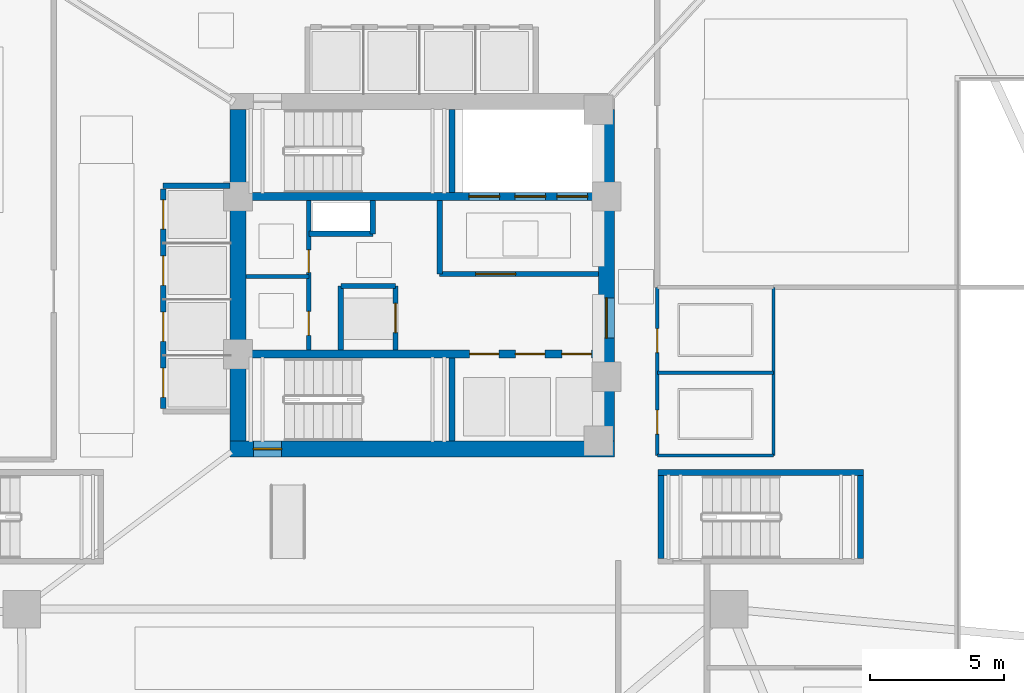
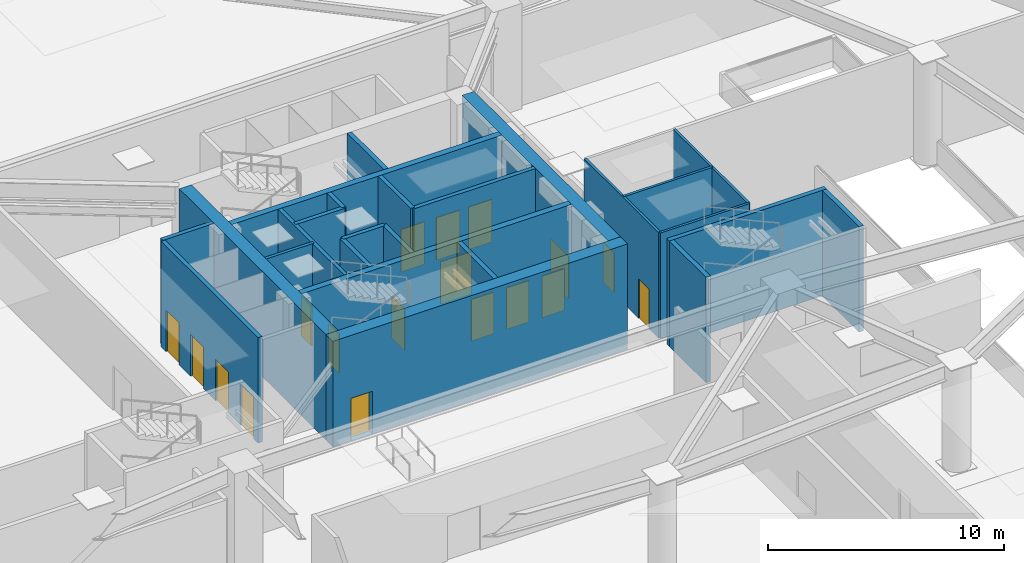
# One storey, part 6 of 13: 25 walls, 18 doors, 18 openings.
"""IFC4 building model written with IfcOpenShell, lengths in metres."""

from ifc_helpers import new_model, si_unit, direction, frame, frame_2d, origin, place, context, subcontext, project, spatial, rectangle, extrude, material, layer, layer_set, type_object, element, fill, save


model = new_model("IFC4")

# Units and contexts
model_context = context("Model", 3, precision=1e-05, world=origin(), true_north=direction((0.0, 1.0)))
body_context = subcontext(model_context, "Body", "Model", "MODEL_VIEW")
ifc_project = project(units=[si_unit("LENGTHUNIT", "METRE"), si_unit("AREAUNIT", "SQUARE_METRE"), si_unit("VOLUMEUNIT", "CUBIC_METRE"), si_unit("PLANEANGLEUNIT", "RADIAN"), si_unit("MASSUNIT", "GRAM", prefix="KILO")], contexts=[model_context])

# Site, building, storey
site_placement = place(None, origin())
site = spatial("IfcSite", under=ifc_project, at=site_placement, CompositionType="ELEMENT")
building_placement = place(site_placement, origin())
building = spatial("IfcBuilding", under=site, at=building_placement, Name="Tavelor Broadcast Tower", CompositionType="ELEMENT")
storey_placement = place(building_placement, origin())
storey = spatial("IfcBuildingStorey", under=building, at=storey_placement, Name="L00", CompositionType="ELEMENT", Elevation=0.0)

# Wall, opening, door
ifc_material_1 = material(Name="Concrete C60/75", Category="concrete")
ifc_layer_1 = layer(ifc_material_1, 0.60009765625)
ifc_layer_set_1 = layer_set([ifc_layer_1], Name="Concrete C60/75")
wall_type_1 = type_object("IfcWallType", Name="Core Shear Wall 600 mm", PredefinedType="SHEAR", material=ifc_layer_set_1)
wall_1_placement = place(storey_placement, frame((42.800048828125, 38.5, 0.0), z_axis=(0.0, 0.0, 1.0), x_axis=(1.0, 0.0, 0.0)))
wall_1 = element("IfcWall", 1, at=wall_1_placement, inside=storey, type_object=wall_type_1, Name="L00 Central Core Shear Wall S", PredefinedType="SHEAR", context=body_context, shape_type="SweptSolid", body=[
    extrude(rectangle(XDim=14.39990234375, YDim=0.60009765625, at=frame_2d((7.199951171875, 0.0))), origin(), (0.0, 0.0, 1.0), 5.449951171875),
])
opening_1_placement = place(wall_1_placement, frame((0.8798828125, 0.0, 0.0)))
opening_1 = element("IfcOpeningElement", 2, at=opening_1_placement, cuts=wall_1, Name="Opening DR11", PredefinedType="OPENING", context=body_context, shape_type="SweptSolid", body=[
    extrude(rectangle(XDim=1.050048828125, YDim=2.199951171875, at=frame_2d((0.52490234375, 1.10009765625))), frame((0.0, 0.31005859375, 0.0), z_axis=(0.0, -1.0, 0.0), x_axis=(1.0, 0.0, 0.0)), (0.0, 0.0, 1.0), 0.6201171875),
])
ifc_material_2 = material(Name="Steel S355", Category="steel")
door_type_1 = type_object("IfcDoorType", Name="Stair Core Fire Escape Door 1050x2200", OperationType="NOTDEFINED", PredefinedType="DOOR", material=ifc_material_2)
door_1_placement = place(opening_1_placement, origin())
door_1 = element("IfcDoor", 3, at=door_1_placement, inside=storey, type_object=door_type_1, Name="L00 Stair ST2 Protected Exit Door", OperationType="SINGLE_SWING_RIGHT", OverallHeight=2.199951171875, OverallWidth=1.050048828125, PredefinedType="DOOR", context=body_context, shape_type="SweptSolid", body=[
    extrude(rectangle(XDim=1.050048828125, YDim=2.199951171875, at=frame_2d((0.52490234375, 1.10009765625))), frame((0.0, 0.02490234375, 0.0), z_axis=(0.0, -1.0, 0.0), x_axis=(1.0, 0.0, 0.0)), (0.0, 0.0, 1.0), 0.050048828125),
])
fill(opening_1, door_1)

# Wall
wall_2_placement = place(storey_placement, frame((43.10009765625, 38.800048828125, 0.0), z_axis=(0.0, 0.0, 1.0), x_axis=(0.0, 1.0, 0.0)))
element("IfcWall", 4, at=wall_2_placement, inside=storey, type_object=wall_type_1, Name="L00 Central Core Shear Wall W", PredefinedType="SHEAR", context=body_context, shape_type="SweptSolid", body=[
    extrude(rectangle(XDim=12.39990234375, YDim=0.60009765625, at=frame_2d((6.199951171875, 0.0))), origin(), (0.0, 0.0, 1.0), 5.449951171875),
])

# Wall, opening, door
wall_3_placement = place(storey_placement, frame((56.89990234375, 38.800048828125, 0.0), z_axis=(0.0, 0.0, 1.0), x_axis=(0.0, 1.0, 0.0)))
wall_3 = element("IfcWall", 5, at=wall_3_placement, inside=storey, type_object=wall_type_1, Name="L00 Central Core Shear Wall E", PredefinedType="SHEAR", context=body_context, shape_type="SweptSolid", body=[
    extrude(rectangle(XDim=12.39990234375, YDim=0.60009765625, at=frame_2d((6.199951171875, 0.0))), origin(), (0.0, 0.0, 1.0), 5.449951171875),
])
opening_2_placement = place(wall_3_placement, frame((3.85009765625, 0.0, 0.0)))
opening_2 = element("IfcOpeningElement", 6, at=opening_2_placement, cuts=wall_3, Name="Opening DR14", PredefinedType="OPENING", context=body_context, shape_type="SweptSolid", body=[
    extrude(rectangle(XDim=1.5, YDim=2.199951171875, at=frame_2d((0.75, 1.10009765625))), frame((0.0, 0.31005859375, 0.0), z_axis=(0.0, -1.0, 0.0), x_axis=(1.0, 0.0, 0.0)), (0.0, 0.0, 1.0), 0.6201171875),
])
door_type_2 = type_object("IfcDoorType", Name="Firefighting Lobby Double Fire Door 1500x2200", OperationType="NOTDEFINED", PredefinedType="DOOR", material=ifc_material_2)
door_2_placement = place(opening_2_placement, origin())
door_2 = element("IfcDoor", 7, at=door_2_placement, inside=storey, type_object=door_type_2, Name="L00 Central Core Lobby Fire Door", OperationType="SINGLE_SWING_RIGHT", OverallHeight=2.199951171875, OverallWidth=1.5, PredefinedType="DOOR", context=body_context, shape_type="SweptSolid", body=[
    extrude(rectangle(XDim=1.5, YDim=2.199951171875, at=frame_2d((0.75, 1.10009765625))), frame((0.0, 0.02490234375, 0.0), z_axis=(0.0, -1.0, 0.0), x_axis=(1.0, 0.0, 0.0)), (0.0, 0.0, 1.0), 0.050048828125),
])
fill(opening_2, door_2)

# Wall, openings, doors
ifc_layer_2 = layer(ifc_material_1, 0.300048828125)
ifc_layer_set_2 = layer_set([ifc_layer_2], Name="Concrete C60/75")
wall_type_2 = type_object("IfcWallType", Name="Core Spine Shear Wall 300 mm C60", PredefinedType="SHEAR", material=ifc_layer_set_2)
wall_4_placement = place(storey_placement, frame((43.39990234375, 47.949951171875, 0.0), z_axis=(0.0, 0.0, 1.0), x_axis=(1.0, 0.0, 0.0)))
wall_4 = element("IfcWall", 8, at=wall_4_placement, inside=storey, type_object=wall_type_2, Name="L00 Central Core Shear Wall SP1", PredefinedType="SHEAR", context=body_context, shape_type="SweptSolid", body=[
    extrude(rectangle(XDim=13.2001953125, YDim=0.300048828125, at=frame_2d((6.60009765625, 0.0))), origin(), (0.0, 0.0, 1.0), 5.449951171875),
])
opening_3_placement = place(wall_4_placement, frame((8.344970703125, 0.0, 0.0)))
opening_3 = element("IfcOpeningElement", 9, at=opening_3_placement, cuts=wall_4, Name="Opening LD02", PredefinedType="OPENING", context=body_context, shape_type="SweptSolid", body=[
    extrude(rectangle(XDim=1.14990234375, YDim=2.199951171875, at=frame_2d((0.574951171875, 1.10009765625))), frame((0.0, 0.16015625, 0.0), z_axis=(0.0, -1.0, 0.0), x_axis=(1.0, 0.0, 0.0)), (0.0, 0.0, 1.0), 0.320068359375),
])
opening_4_placement = place(wall_4_placement, frame((10.06494140625, 0.0, 0.0)))
opening_4 = element("IfcOpeningElement", 10, at=opening_4_placement, cuts=wall_4, Name="Opening LD02", PredefinedType="OPENING", context=body_context, shape_type="SweptSolid", body=[
    extrude(rectangle(XDim=1.14990234375, YDim=2.199951171875, at=frame_2d((0.574951171875, 1.10009765625))), frame((0.0, 0.16015625, 0.0), z_axis=(0.0, -1.0, 0.0), x_axis=(1.0, 0.0, 0.0)), (0.0, 0.0, 1.0), 0.320068359375),
])
opening_5_placement = place(wall_4_placement, frame((11.64501953125, 0.0, 0.0)))
opening_5 = element("IfcOpeningElement", 11, at=opening_5_placement, cuts=wall_4, Name="Opening LD03", PredefinedType="OPENING", context=body_context, shape_type="SweptSolid", body=[
    extrude(rectangle(XDim=1.14990234375, YDim=2.199951171875, at=frame_2d((0.574951171875, 1.10009765625))), frame((0.0, 0.16015625, 0.0), z_axis=(0.0, -1.0, 0.0), x_axis=(1.0, 0.0, 0.0)), (0.0, 0.0, 1.0), 0.320068359375),
])
ifc_material_3 = material(Name="Reinforced Brushed Stainless Steel", Category="concrete")
door_type_3 = type_object("IfcDoorType", Name="Broadcast Goods Lift Sliding Landing Door 1250x2200", OperationType="NOTDEFINED", PredefinedType="DOOR", material=ifc_material_3)
door_3_placement = place(opening_5_placement, origin())
door_3 = element("IfcDoor", 12, at=door_3_placement, inside=storey, type_object=door_type_3, Name="L00 Lift SVL1 Sliding Landing Door", OperationType="SLIDING_TO_LEFT", OverallHeight=2.199951171875, OverallWidth=1.14990234375, PredefinedType="DOOR", context=body_context, shape_type="SweptSolid", body=[
    extrude(rectangle(XDim=1.14990234375, YDim=2.199951171875, at=frame_2d((0.574951171875, 1.10009765625))), frame((0.0, 0.02490234375, 0.0), z_axis=(0.0, -1.0, 0.0), x_axis=(1.0, 0.0, 0.0)), (0.0, 0.0, 1.0), 0.050048828125),
])
fill(opening_5, door_3)
ifc_material_4 = material(Name="Fire-Rated Stainless Steel", Category="steel")
door_type_4 = type_object("IfcDoorType", Name="Firefighting Lift Sliding Landing Door 1200x2200", OperationType="NOTDEFINED", PredefinedType="DOOR", material=ifc_material_4)
door_4_placement = place(opening_3_placement, origin())
door_4 = element("IfcDoor", 13, at=door_4_placement, inside=storey, type_object=door_type_4, Name="L00 Lift FFL1 Sliding Landing Door", OperationType="SLIDING_TO_LEFT", OverallHeight=2.199951171875, OverallWidth=1.14990234375, PredefinedType="DOOR", context=body_context, shape_type="SweptSolid", body=[
    extrude(rectangle(XDim=1.14990234375, YDim=2.199951171875, at=frame_2d((0.574951171875, 1.10009765625))), frame((0.0, 0.02490234375, 0.0), z_axis=(0.0, -1.0, 0.0), x_axis=(1.0, 0.0, 0.0)), (0.0, 0.0, 1.0), 0.050048828125),
])
fill(opening_3, door_4)
door_5_placement = place(opening_4_placement, origin())
door_5 = element("IfcDoor", 14, at=door_5_placement, inside=storey, type_object=door_type_4, Name="L00 Lift FFL2 Sliding Landing Door", OperationType="SLIDING_TO_LEFT", OverallHeight=2.199951171875, OverallWidth=1.14990234375, PredefinedType="DOOR", context=body_context, shape_type="SweptSolid", body=[
    extrude(rectangle(XDim=1.14990234375, YDim=2.199951171875, at=frame_2d((0.574951171875, 1.10009765625))), frame((0.0, 0.02490234375, 0.0), z_axis=(0.0, -1.0, 0.0), x_axis=(1.0, 0.0, 0.0)), (0.0, 0.0, 1.0), 0.050048828125),
])
fill(opening_4, door_5)

wall_5_placement = place(storey_placement, frame((43.39990234375, 42.050048828125, 0.0), z_axis=(0.0, 0.0, 1.0), x_axis=(1.0, 0.0, 0.0)))
wall_5 = element("IfcWall", 15, at=wall_5_placement, inside=storey, type_object=wall_type_2, Name="L00 Central Core Shear Wall SP2", PredefinedType="SHEAR", context=body_context, shape_type="SweptSolid", body=[
    extrude(rectangle(XDim=13.2001953125, YDim=0.300048828125, at=frame_2d((6.60009765625, 0.0))), origin(), (0.0, 0.0, 1.0), 5.449951171875),
])
opening_6_placement = place(wall_5_placement, frame((8.3701171875, 0.0, 0.0)))
opening_6 = element("IfcOpeningElement", 16, at=opening_6_placement, cuts=wall_5, Name="Opening LD01", PredefinedType="OPENING", context=body_context, shape_type="SweptSolid", body=[
    extrude(rectangle(XDim=1.10009765625, YDim=2.14990234375, at=frame_2d((0.550048828125, 1.074951171875))), frame((0.0, 0.16015625, 0.0), z_axis=(0.0, -1.0, 0.0), x_axis=(1.0, 0.0, 0.0)), (0.0, 0.0, 1.0), 0.320068359375),
])
opening_7_placement = place(wall_5_placement, frame((10.090087890625, 0.0, 0.0)))
opening_7 = element("IfcOpeningElement", 17, at=opening_7_placement, cuts=wall_5, Name="Opening LD01", PredefinedType="OPENING", context=body_context, shape_type="SweptSolid", body=[
    extrude(rectangle(XDim=1.10009765625, YDim=2.14990234375, at=frame_2d((0.550048828125, 1.074951171875))), frame((0.0, 0.16015625, 0.0), z_axis=(0.0, -1.0, 0.0), x_axis=(1.0, 0.0, 0.0)), (0.0, 0.0, 1.0), 0.320068359375),
])
opening_8_placement = place(wall_5_placement, frame((11.830078125, 0.0, 0.0)))
opening_8 = element("IfcOpeningElement", 18, at=opening_8_placement, cuts=wall_5, Name="Opening LD01", PredefinedType="OPENING", context=body_context, shape_type="SweptSolid", body=[
    extrude(rectangle(XDim=1.10009765625, YDim=2.14990234375, at=frame_2d((0.550048828125, 1.074951171875))), frame((0.0, 0.16015625, 0.0), z_axis=(0.0, -1.0, 0.0), x_axis=(1.0, 0.0, 0.0)), (0.0, 0.0, 1.0), 0.320068359375),
])
ifc_material_5 = material(Name="Brushed Stainless Steel", Category="steel")
door_type_5 = type_object("IfcDoorType", Name="Passenger Lift Sliding Landing Door 1100x2150", OperationType="NOTDEFINED", PredefinedType="DOOR", material=ifc_material_5)
door_6_placement = place(opening_6_placement, origin())
door_6 = element("IfcDoor", 19, at=door_6_placement, inside=storey, type_object=door_type_5, Name="L00 Lift PLM1 Sliding Landing Door", OperationType="SLIDING_TO_LEFT", OverallHeight=2.14990234375, OverallWidth=1.10009765625, PredefinedType="DOOR", context=body_context, shape_type="SweptSolid", body=[
    extrude(rectangle(XDim=1.10009765625, YDim=2.14990234375, at=frame_2d((0.550048828125, 1.074951171875))), frame((0.0, 0.02490234375, 0.0), z_axis=(0.0, -1.0, 0.0), x_axis=(1.0, 0.0, 0.0)), (0.0, 0.0, 1.0), 0.050048828125),
])
fill(opening_6, door_6)
door_7_placement = place(opening_7_placement, origin())
door_7 = element("IfcDoor", 20, at=door_7_placement, inside=storey, type_object=door_type_5, Name="L00 Lift PLM2 Sliding Landing Door", OperationType="SLIDING_TO_LEFT", OverallHeight=2.14990234375, OverallWidth=1.10009765625, PredefinedType="DOOR", context=body_context, shape_type="SweptSolid", body=[
    extrude(rectangle(XDim=1.10009765625, YDim=2.14990234375, at=frame_2d((0.550048828125, 1.074951171875))), frame((0.0, 0.02490234375, 0.0), z_axis=(0.0, -1.0, 0.0), x_axis=(1.0, 0.0, 0.0)), (0.0, 0.0, 1.0), 0.050048828125),
])
fill(opening_7, door_7)
door_8_placement = place(opening_8_placement, origin())
door_8 = element("IfcDoor", 21, at=door_8_placement, inside=storey, type_object=door_type_5, Name="L00 Lift PLM3 Sliding Landing Door", OperationType="SLIDING_TO_LEFT", OverallHeight=2.14990234375, OverallWidth=1.10009765625, PredefinedType="DOOR", context=body_context, shape_type="SweptSolid", body=[
    extrude(rectangle(XDim=1.10009765625, YDim=2.14990234375, at=frame_2d((0.550048828125, 1.074951171875))), frame((0.0, 0.02490234375, 0.0), z_axis=(0.0, -1.0, 0.0), x_axis=(1.0, 0.0, 0.0)), (0.0, 0.0, 1.0), 0.050048828125),
])
fill(opening_8, door_8)

ifc_material_6 = material(Name="Calcium Silicate Fire Board 180 mm", Category="gypsum")
ifc_layer_3 = layer(ifc_material_6, 0.179931640625)
ifc_layer_set_3 = layer_set([ifc_layer_3], Name="Calcium Silicate Fire Board 180 mm")
wall_type_3 = type_object("IfcWallType", Name="Fire-Rated Corridor Partition Wall 180 mm", PredefinedType="PARTITIONING", material=ifc_layer_set_3)
wall_6_placement = place(storey_placement, frame((45.75, 42.199951171875, 0.0), z_axis=(0.0, 0.0, 1.0), x_axis=(0.0, 1.0, 0.0)))
wall_6 = element("IfcWall", 22, at=wall_6_placement, inside=storey, type_object=wall_type_3, Name="L00 Core West Service East Wall", PredefinedType="PARTITIONING", context=body_context, shape_type="SweptSolid", body=[
    extrude(rectangle(XDim=5.60009765625, YDim=0.179931640625, at=frame_2d((2.800048828125, 0.0))), origin(), (0.0, 0.0, 1.0), 5.449951171875),
])
opening_9_placement = place(wall_6_placement, frame((0.550048828125, 0.0, 0.0)))
opening_9 = element("IfcOpeningElement", 23, at=opening_9_placement, cuts=wall_6, Name="Opening DR32", PredefinedType="OPENING", context=body_context, shape_type="SweptSolid", body=[
    extrude(rectangle(XDim=0.89990234375, YDim=2.050048828125, at=frame_2d((0.449951171875, 1.02490234375))), frame((0.0, 0.10009765625, 0.0), z_axis=(0.0, -1.0, 0.0), x_axis=(1.0, 0.0, 0.0)), (0.0, 0.0, 1.0), 0.199951171875),
])
opening_10_placement = place(wall_6_placement, frame((2.89990234375, 0.0, 0.0)))
opening_10 = element("IfcOpeningElement", 24, at=opening_10_placement, cuts=wall_6, Name="Opening DR36", PredefinedType="OPENING", context=body_context, shape_type="SweptSolid", body=[
    extrude(rectangle(XDim=0.85009765625, YDim=2.050048828125, at=frame_2d((0.425048828125, 1.02490234375))), frame((0.0, 0.10009765625, 0.0), z_axis=(0.0, -1.0, 0.0), x_axis=(1.0, 0.0, 0.0)), (0.0, 0.0, 1.0), 0.199951171875),
])
ifc_material_7 = material(Name="Timber Solid Core Hardwood", Category="wood")
door_type_6 = type_object("IfcDoorType", Name="Accessible Washroom Door 900x2050", OperationType="NOTDEFINED", PredefinedType="DOOR", material=ifc_material_7)
door_9_placement = place(opening_9_placement, origin())
door_9 = element("IfcDoor", 25, at=door_9_placement, inside=storey, type_object=door_type_6, Name="L00 Core Accessible WC Door", OperationType="SINGLE_SWING_LEFT", OverallHeight=2.050048828125, OverallWidth=0.89990234375, PredefinedType="DOOR", context=body_context, shape_type="SweptSolid", body=[
    extrude(rectangle(XDim=0.89990234375, YDim=2.050048828125, at=frame_2d((0.449951171875, 1.02490234375))), frame((0.0, 0.02490234375, 0.0), z_axis=(0.0, -1.0, 0.0), x_axis=(1.0, 0.0, 0.0)), (0.0, 0.0, 1.0), 0.050048828125),
])
fill(opening_9, door_9)
door_type_7 = type_object("IfcDoorType", Name="Service Room Fire Door 850x2050", OperationType="NOTDEFINED", PredefinedType="DOOR", material=ifc_material_2)
door_10_placement = place(opening_10_placement, origin())
door_10 = element("IfcDoor", 26, at=door_10_placement, inside=storey, type_object=door_type_7, Name="L00 Core Cleaner Store Door", OperationType="SINGLE_SWING_RIGHT", OverallHeight=2.050048828125, OverallWidth=0.85009765625, PredefinedType="DOOR", context=body_context, shape_type="SweptSolid", body=[
    extrude(rectangle(XDim=0.85009765625, YDim=2.050048828125, at=frame_2d((0.425048828125, 1.02490234375))), frame((0.0, 0.02490234375, 0.0), z_axis=(0.0, -1.0, 0.0), x_axis=(1.0, 0.0, 0.0)), (0.0, 0.0, 1.0), 0.050048828125),
])
fill(opening_10, door_10)

# Wall
ifc_material_8 = material(Name="Gypsum Acoustic Plasterboard 150 mm", Category="gypsum")
ifc_layer_4 = layer(ifc_material_8, 0.14990234375)
ifc_layer_set_4 = layer_set([ifc_layer_4], Name="Gypsum Acoustic Plasterboard 150 mm")
wall_type_4 = type_object("IfcWallType", Name="Interior Acoustic Partition Wall 150 mm", PredefinedType="PARTITIONING", material=ifc_layer_set_4)
wall_7_placement = place(storey_placement, frame((43.39990234375, 44.949951171875, 0.0), z_axis=(0.0, 0.0, 1.0), x_axis=(1.0, 0.0, 0.0)))
element("IfcWall", 27, at=wall_7_placement, inside=storey, type_object=wall_type_4, Name="L00 Core Split Wall A", PredefinedType="PARTITIONING", context=body_context, shape_type="SweptSolid", body=[
    extrude(rectangle(XDim=2.35009765625, YDim=0.14990234375, at=frame_2d((1.175048828125, 0.0))), origin(), (0.0, 0.0, 1.0), 5.449951171875),
])

# Wall, openings, doors
ifc_material_9 = material(Name="Concrete Blockwork 200 mm", Category="masonry")
ifc_layer_5 = layer(ifc_material_9, 0.199951171875)
ifc_layer_set_5 = layer_set([ifc_layer_5], Name="Concrete Blockwork 200 mm")
wall_type_5 = type_object("IfcWallType", Name="Lift Hoistway Rated Front Wall 200 mm", PredefinedType="PARTITIONING", material=ifc_layer_set_5)
wall_8_placement = place(storey_placement, frame((40.300048828125, 40.02001953125, 0.0), z_axis=(0.0, 0.0, 1.0), x_axis=(0.0, 1.0, 0.0)))
wall_8 = element("IfcWall", 28, at=wall_8_placement, inside=storey, type_object=wall_type_5, Name="L00 Low-Rise Lift Hoistway Front Wall", PredefinedType="PARTITIONING", context=body_context, shape_type="SweptSolid", body=[
    extrude(rectangle(XDim=8.2099609375, YDim=0.199951171875, at=frame_2d((4.10498046875, 0.0))), origin(), (0.0, 0.0, 1.0), 5.449951171875),
])
opening_11_placement = place(wall_8_placement, frame((0.405029296875, 0.0, 0.0)))
opening_11 = element("IfcOpeningElement", 29, at=opening_11_placement, cuts=wall_8, Name="Opening LD01", PredefinedType="OPENING", context=body_context, shape_type="SweptSolid", body=[
    extrude(rectangle(XDim=1.10009765625, YDim=2.14990234375, at=frame_2d((0.550048828125, 1.074951171875))), frame((0.0, 0.10986328125, 0.0), z_axis=(0.0, -1.0, 0.0), x_axis=(1.0, 0.0, 0.0)), (0.0, 0.0, 1.0), 0.219970703125),
])
opening_12_placement = place(wall_8_placement, frame((2.5048828125, 0.0, 0.0)))
opening_12 = element("IfcOpeningElement", 30, at=opening_12_placement, cuts=wall_8, Name="Opening LD01", PredefinedType="OPENING", context=body_context, shape_type="SweptSolid", body=[
    extrude(rectangle(XDim=1.10009765625, YDim=2.14990234375, at=frame_2d((0.550048828125, 1.074951171875))), frame((0.0, 0.10986328125, 0.0), z_axis=(0.0, -1.0, 0.0), x_axis=(1.0, 0.0, 0.0)), (0.0, 0.0, 1.0), 0.219970703125),
])
opening_13_placement = place(wall_8_placement, frame((4.60498046875, 0.0, 0.0)))
opening_13 = element("IfcOpeningElement", 31, at=opening_13_placement, cuts=wall_8, Name="Opening LD01", PredefinedType="OPENING", context=body_context, shape_type="SweptSolid", body=[
    extrude(rectangle(XDim=1.10009765625, YDim=2.14990234375, at=frame_2d((0.550048828125, 1.074951171875))), frame((0.0, 0.10986328125, 0.0), z_axis=(0.0, -1.0, 0.0), x_axis=(1.0, 0.0, 0.0)), (0.0, 0.0, 1.0), 0.219970703125),
])
opening_14_placement = place(wall_8_placement, frame((6.705078125, 0.0, 0.0)))
opening_14 = element("IfcOpeningElement", 32, at=opening_14_placement, cuts=wall_8, Name="Opening LD01", PredefinedType="OPENING", context=body_context, shape_type="SweptSolid", body=[
    extrude(rectangle(XDim=1.10009765625, YDim=2.14990234375, at=frame_2d((0.550048828125, 1.074951171875))), frame((0.0, 0.10986328125, 0.0), z_axis=(0.0, -1.0, 0.0), x_axis=(1.0, 0.0, 0.0)), (0.0, 0.0, 1.0), 0.219970703125),
])
door_11_placement = place(opening_11_placement, origin())
door_11 = element("IfcDoor", 33, at=door_11_placement, inside=storey, type_object=door_type_5, Name="L00 Lift PLL1 Sliding Landing Door", OperationType="SLIDING_TO_LEFT", OverallHeight=2.14990234375, OverallWidth=1.10009765625, PredefinedType="DOOR", context=body_context, shape_type="SweptSolid", body=[
    extrude(rectangle(XDim=1.10009765625, YDim=2.14990234375, at=frame_2d((0.550048828125, 1.074951171875))), frame((0.0, 0.02490234375, 0.0), z_axis=(0.0, -1.0, 0.0), x_axis=(1.0, 0.0, 0.0)), (0.0, 0.0, 1.0), 0.050048828125),
])
fill(opening_11, door_11)
door_12_placement = place(opening_12_placement, origin())
door_12 = element("IfcDoor", 34, at=door_12_placement, inside=storey, type_object=door_type_5, Name="L00 Lift PLL2 Sliding Landing Door", OperationType="SLIDING_TO_RIGHT", OverallHeight=2.14990234375, OverallWidth=1.10009765625, PredefinedType="DOOR", context=body_context, shape_type="SweptSolid", body=[
    extrude(rectangle(XDim=1.10009765625, YDim=2.14990234375, at=frame_2d((0.550048828125, 1.074951171875))), frame((0.0, 0.02490234375, 0.0), z_axis=(0.0, -1.0, 0.0), x_axis=(1.0, 0.0, 0.0)), (0.0, 0.0, 1.0), 0.050048828125),
])
fill(opening_12, door_12)
door_13_placement = place(opening_13_placement, origin())
door_13 = element("IfcDoor", 35, at=door_13_placement, inside=storey, type_object=door_type_5, Name="L00 Lift PLL3 Sliding Landing Door", OperationType="SLIDING_TO_LEFT", OverallHeight=2.14990234375, OverallWidth=1.10009765625, PredefinedType="DOOR", context=body_context, shape_type="SweptSolid", body=[
    extrude(rectangle(XDim=1.10009765625, YDim=2.14990234375, at=frame_2d((0.550048828125, 1.074951171875))), frame((0.0, 0.02490234375, 0.0), z_axis=(0.0, -1.0, 0.0), x_axis=(1.0, 0.0, 0.0)), (0.0, 0.0, 1.0), 0.050048828125),
])
fill(opening_13, door_13)
door_14_placement = place(opening_14_placement, origin())
door_14 = element("IfcDoor", 36, at=door_14_placement, inside=storey, type_object=door_type_5, Name="L00 Lift PLL4 Sliding Landing Door", OperationType="SLIDING_TO_RIGHT", OverallHeight=2.14990234375, OverallWidth=1.10009765625, PredefinedType="DOOR", context=body_context, shape_type="SweptSolid", body=[
    extrude(rectangle(XDim=1.10009765625, YDim=2.14990234375, at=frame_2d((0.550048828125, 1.074951171875))), frame((0.0, 0.02490234375, 0.0), z_axis=(0.0, -1.0, 0.0), x_axis=(1.0, 0.0, 0.0)), (0.0, 0.0, 1.0), 0.050048828125),
])
fill(opening_14, door_14)

# Wall, opening, door
wall_9_placement = place(storey_placement, frame((49.0, 42.199951171875, 0.0), z_axis=(0.0, 0.0, 1.0), x_axis=(0.0, 1.0, 0.0)))
wall_9 = element("IfcWall", 37, at=wall_9_placement, inside=storey, type_object=wall_type_5, Name="L00 Mid-Rise Lift PLM4 Hoistway Front Wall", PredefinedType="PARTITIONING", context=body_context, shape_type="SweptSolid", body=[
    extrude(rectangle(XDim=2.400146484375, YDim=0.199951171875, at=frame_2d((1.2001953125, 0.0))), origin(), (0.0, 0.0, 1.0), 5.449951171875),
])
opening_15_placement = place(wall_9_placement, frame((0.64990234375, 0.0, 0.0)))
opening_15 = element("IfcOpeningElement", 38, at=opening_15_placement, cuts=wall_9, Name="Opening LD01", PredefinedType="OPENING", context=body_context, shape_type="SweptSolid", body=[
    extrude(rectangle(XDim=1.10009765625, YDim=2.14990234375, at=frame_2d((0.550048828125, 1.074951171875))), frame((0.0, 0.10986328125, 0.0), z_axis=(0.0, -1.0, 0.0), x_axis=(1.0, 0.0, 0.0)), (0.0, 0.0, 1.0), 0.219970703125),
])
door_15_placement = place(opening_15_placement, origin())
door_15 = element("IfcDoor", 39, at=door_15_placement, inside=storey, type_object=door_type_5, Name="L00 Lift PLM4 Sliding Landing Door", OperationType="SLIDING_TO_RIGHT", OverallHeight=2.14990234375, OverallWidth=1.10009765625, PredefinedType="DOOR", context=body_context, shape_type="SweptSolid", body=[
    extrude(rectangle(XDim=1.10009765625, YDim=2.14990234375, at=frame_2d((0.550048828125, 1.074951171875))), frame((0.0, 0.02490234375, 0.0), z_axis=(0.0, -1.0, 0.0), x_axis=(1.0, 0.0, 0.0)), (0.0, 0.0, 1.0), 0.050048828125),
])
fill(opening_15, door_15)

# Walls
ifc_layer_6 = layer(ifc_material_9, 0.199951171875)
ifc_layer_set_6 = layer_set([ifc_layer_6], Name="Concrete Blockwork 200 mm")
wall_type_6 = type_object("IfcWallType", Name="Lift and Riser Shaft Enclosure Wall 200 mm", PredefinedType="PARTITIONING", material=ifc_layer_set_6)
wall_10_placement = place(storey_placement, frame((40.300048828125, 48.35009765625, 0.0), z_axis=(0.0, 0.0, 1.0), x_axis=(1.0, 0.0, 0.0)))
element("IfcWall", 40, at=wall_10_placement, inside=storey, type_object=wall_type_6, Name="L00 Low-Rise Lift Shaft North Wall", PredefinedType="PARTITIONING", context=body_context, shape_type="SweptSolid", body=[
    extrude(rectangle(XDim=2.5, YDim=0.199951171875, at=frame_2d((1.25, 0.0))), origin(), (0.0, 0.0, 1.0), 5.449951171875),
])
wall_11_placement = place(storey_placement, frame((45.75, 46.550048828125, 0.0), z_axis=(0.0, 0.0, 1.0), x_axis=(1.0, 0.0, 0.0)))
element("IfcWall", 41, at=wall_11_placement, inside=storey, type_object=wall_type_6, Name="L00 Riser Shaft South Wall", PredefinedType="PARTITIONING", context=body_context, shape_type="SweptSolid", body=[
    extrude(rectangle(XDim=2.39990234375, YDim=0.199951171875, at=frame_2d((1.199951171875, 0.0))), origin(), (0.0, 0.0, 1.0), 5.449951171875),
])
wall_12_placement = place(storey_placement, frame((48.14990234375, 46.550048828125, 0.0), z_axis=(0.0, 0.0, 1.0), x_axis=(0.0, 1.0, 0.0)))
element("IfcWall", 42, at=wall_12_placement, inside=storey, type_object=wall_type_6, Name="L00 Riser Shaft East Wall", PredefinedType="PARTITIONING", context=body_context, shape_type="SweptSolid", body=[
    extrude(rectangle(XDim=1.25, YDim=0.199951171875, at=frame_2d((0.625, 0.0))), origin(), (0.0, 0.0, 1.0), 5.449951171875),
])
wall_13_placement = place(storey_placement, frame((46.949951171875, 42.199951171875, 0.0), z_axis=(0.0, 0.0, 1.0), x_axis=(0.0, 1.0, 0.0)))
element("IfcWall", 43, at=wall_13_placement, inside=storey, type_object=wall_type_6, Name="L00 Mid-Rise Lift PLM4 West Wall", PredefinedType="PARTITIONING", context=body_context, shape_type="SweptSolid", body=[
    extrude(rectangle(XDim=2.400146484375, YDim=0.199951171875, at=frame_2d((1.2001953125, 0.0))), origin(), (0.0, 0.0, 1.0), 5.449951171875),
])
wall_14_placement = place(storey_placement, frame((46.949951171875, 44.60009765625, 0.0), z_axis=(0.0, 0.0, 1.0), x_axis=(1.0, 0.0, 0.0)))
element("IfcWall", 44, at=wall_14_placement, inside=storey, type_object=wall_type_6, Name="L00 Mid-Rise Lift PLM4 North Wall", PredefinedType="PARTITIONING", context=body_context, shape_type="SweptSolid", body=[
    extrude(rectangle(XDim=2.050048828125, YDim=0.199951171875, at=frame_2d((1.02490234375, 0.0))), origin(), (0.0, 0.0, 1.0), 5.449951171875),
])

# Wall, opening, door
wall_15_placement = place(storey_placement, frame((50.64990234375, 45.050048828125, 0.0), z_axis=(0.0, 0.0, 1.0), x_axis=(1.0, 0.0, 0.0)))
wall_15 = element("IfcWall", 45, at=wall_15_placement, inside=storey, type_object=wall_type_6, Name="L00 Firefighting Lobby South Wall", PredefinedType="PARTITIONING", context=body_context, shape_type="SweptSolid", body=[
    extrude(rectangle(XDim=5.9501953125, YDim=0.199951171875, at=frame_2d((2.97509765625, 0.0))), origin(), (0.0, 0.0, 1.0), 5.449951171875),
])
opening_16_placement = place(wall_15_placement, frame((1.35009765625, 0.0, 0.0)))
opening_16 = element("IfcOpeningElement", 46, at=opening_16_placement, cuts=wall_15, Name="Opening DR14", PredefinedType="OPENING", context=body_context, shape_type="SweptSolid", body=[
    extrude(rectangle(XDim=1.5, YDim=2.199951171875, at=frame_2d((0.75, 1.10009765625))), frame((0.0, 0.10986328125, 0.0), z_axis=(0.0, -1.0, 0.0), x_axis=(1.0, 0.0, 0.0)), (0.0, 0.0, 1.0), 0.219970703125),
])
door_16_placement = place(opening_16_placement, origin())
door_16 = element("IfcDoor", 47, at=door_16_placement, inside=storey, type_object=door_type_2, Name="L00 Firefighting Lobby Compartment Door", OperationType="SINGLE_SWING_LEFT", OverallHeight=2.199951171875, OverallWidth=1.5, PredefinedType="DOOR", context=body_context, shape_type="SweptSolid", body=[
    extrude(rectangle(XDim=1.5, YDim=2.199951171875, at=frame_2d((0.75, 1.10009765625))), frame((0.0, 0.02490234375, 0.0), z_axis=(0.0, -1.0, 0.0), x_axis=(1.0, 0.0, 0.0)), (0.0, 0.0, 1.0), 0.050048828125),
])
fill(opening_16, door_16)

# Wall
wall_16_placement = place(storey_placement, frame((50.64990234375, 45.050048828125, 0.0), z_axis=(0.0, 0.0, 1.0), x_axis=(0.0, 1.0, 0.0)))
element("IfcWall", 48, at=wall_16_placement, inside=storey, type_object=wall_type_6, Name="L00 Firefighting Lobby West Wall", PredefinedType="PARTITIONING", context=body_context, shape_type="SweptSolid", body=[
    extrude(rectangle(XDim=2.75, YDim=0.199951171875, at=frame_2d((1.375, 0.0))), origin(), (0.0, 0.0, 1.0), 5.449951171875),
])

# Wall, openings, doors
ifc_material_10 = material(Name="Moisture-Resistant Plasterboard 120 mm", Category="gypsum")
ifc_layer_7 = layer(ifc_material_10, 0.1201171875)
ifc_layer_set_7 = layer_set([ifc_layer_7], Name="Moisture-Resistant Plasterboard 120 mm")
wall_type_7 = type_object("IfcWallType", Name="Moisture-Resistant Wet-Room Partition 120 mm", PredefinedType="PARTITIONING", material=ifc_layer_set_7)
wall_17_placement = place(storey_placement, frame((58.800048828125, 38.25, 0.0), z_axis=(0.0, 0.0, 1.0), x_axis=(0.0, 1.0, 0.0)))
wall_17 = element("IfcWall", 49, at=wall_17_placement, inside=storey, type_object=wall_type_7, Name="L00 Podium WC West Wall", PredefinedType="PARTITIONING", context=body_context, shape_type="SweptSolid", body=[
    extrude(rectangle(XDim=6.300048828125, YDim=0.1201171875, at=frame_2d((3.14990234375, 0.0))), origin(), (0.0, 0.0, 1.0), 5.449951171875),
])
opening_17_placement = place(wall_17_placement, frame((0.800048828125, 0.0, 0.0)))
opening_17 = element("IfcOpeningElement", 50, at=opening_17_placement, cuts=wall_17, Name="Opening DR32", PredefinedType="OPENING", context=body_context, shape_type="SweptSolid", body=[
    extrude(rectangle(XDim=0.89990234375, YDim=2.050048828125, at=frame_2d((0.449951171875, 1.02490234375))), frame((0.0, 0.070068359375, 0.0), z_axis=(0.0, -1.0, 0.0), x_axis=(1.0, 0.0, 0.0)), (0.0, 0.0, 1.0), 0.14013671875),
])
opening_18_placement = place(wall_17_placement, frame((3.85009765625, 0.0, 0.0)))
opening_18 = element("IfcOpeningElement", 51, at=opening_18_placement, cuts=wall_17, Name="Opening DR32", PredefinedType="OPENING", context=body_context, shape_type="SweptSolid", body=[
    extrude(rectangle(XDim=0.89990234375, YDim=2.050048828125, at=frame_2d((0.449951171875, 1.02490234375))), frame((0.0, 0.070068359375, 0.0), z_axis=(0.0, -1.0, 0.0), x_axis=(1.0, 0.0, 0.0)), (0.0, 0.0, 1.0), 0.14013671875),
])
door_17_placement = place(opening_17_placement, origin())
door_17 = element("IfcDoor", 52, at=door_17_placement, inside=storey, type_object=door_type_6, Name="L00 Public Washroom WC Door", OperationType="SINGLE_SWING_RIGHT", OverallHeight=2.050048828125, OverallWidth=0.89990234375, PredefinedType="DOOR", context=body_context, shape_type="SweptSolid", body=[
    extrude(rectangle(XDim=0.89990234375, YDim=2.050048828125, at=frame_2d((0.449951171875, 1.02490234375))), frame((0.0, 0.02490234375, 0.0), z_axis=(0.0, -1.0, 0.0), x_axis=(1.0, 0.0, 0.0)), (0.0, 0.0, 1.0), 0.050048828125),
])
fill(opening_17, door_17)
door_18_placement = place(opening_18_placement, origin())
door_18 = element("IfcDoor", 53, at=door_18_placement, inside=storey, type_object=door_type_6, Name="L00 Accessible WC Door", OperationType="SINGLE_SWING_LEFT", OverallHeight=2.050048828125, OverallWidth=0.89990234375, PredefinedType="DOOR", context=body_context, shape_type="SweptSolid", body=[
    extrude(rectangle(XDim=0.89990234375, YDim=2.050048828125, at=frame_2d((0.449951171875, 1.02490234375))), frame((0.0, 0.02490234375, 0.0), z_axis=(0.0, -1.0, 0.0), x_axis=(1.0, 0.0, 0.0)), (0.0, 0.0, 1.0), 0.050048828125),
])
fill(opening_18, door_18)

# Walls
for number, where, z_axis, x_axis, name in (
    (54, (58.800048828125, 38.25, 0.0), (0.0, 0.0, 1.0), (1.0, 0.0, 0.0), "L00 Podium WC South Wall"),
    (55, (58.800048828125, 41.35009765625, 0.0), (0.0, 0.0, 1.0), (1.0, 0.0, 0.0), "L00 Podium WC Divider Wall"),
):
    element("IfcWall", number, at=place(storey_placement, frame(where, z_axis=z_axis, x_axis=x_axis)), inside=storey, type_object=wall_type_7, Name=name, PredefinedType="PARTITIONING", context=body_context, shape_type="SweptSolid", body=[
        extrude(rectangle(XDim=4.349853515625, YDim=0.1201171875, at=frame_2d((2.1748046875, 0.0))), origin(), (0.0, 0.0, 1.0), 5.449951171875),
    ])
wall_18_placement = place(storey_placement, frame((63.14990234375, 38.25, 0.0), z_axis=(0.0, 0.0, 1.0), x_axis=(0.0, 1.0, 0.0)))
element("IfcWall", 56, at=wall_18_placement, inside=storey, type_object=wall_type_7, Name="L00 Podium WC East Wall", PredefinedType="PARTITIONING", context=body_context, shape_type="SweptSolid", body=[
    extrude(rectangle(XDim=6.300048828125, YDim=0.1201171875, at=frame_2d((3.14990234375, 0.0))), origin(), (0.0, 0.0, 1.0), 5.449951171875),
])
ifc_material_11 = material(Name="Concrete C40/50", Category="concrete")
ifc_layer_8 = layer(ifc_material_11, 0.219970703125)
ifc_layer_set_8 = layer_set([ifc_layer_8], Name="Concrete C40/50")
wall_type_8 = type_object("IfcWallType", Name="Structural Stairwell Shear Wall 220 mm", PredefinedType="SHEAR", material=ifc_layer_set_8)
for number, where, z_axis, x_axis, name in (
    (57, (51.110107421875, 48.10009765625, 0.0), (0.0, 0.0, 1.0), (0.0, 1.0, 0.0), "L00 Stair ST1 Structural Shaft Wall"),
    (58, (51.110107421875, 38.800048828125, 0.0), (0.0, 0.0, 1.0), (0.0, 1.0, 0.0), "L00 Stair ST2 Structural Shaft Wall"),
):
    element("IfcWall", number, at=place(storey_placement, frame(where, z_axis=z_axis, x_axis=x_axis)), inside=storey, type_object=wall_type_8, Name=name, PredefinedType="SHEAR", context=body_context, shape_type="SweptSolid", body=[
        extrude(rectangle(XDim=3.099853515625, YDim=0.219970703125, at=frame_2d((1.5498046875, 0.0))), origin(), (0.0, 0.0, 1.0), 5.449951171875),
    ])
wall_19_placement = place(storey_placement, frame((58.830078125, 37.610107421875, 0.0), z_axis=(0.0, 0.0, 1.0), x_axis=(1.0, 0.0, 0.0)))
element("IfcWall", 59, at=wall_19_placement, inside=storey, type_object=wall_type_8, Name="L00 Stair ST4 Structural Shaft Wall N", PredefinedType="SHEAR", context=body_context, shape_type="SweptSolid", body=[
    extrude(rectangle(XDim=7.68994140625, YDim=0.219970703125, at=frame_2d((3.844970703125, 0.0))), origin(), (0.0, 0.0, 1.0), 5.449951171875),
])
for number, where, z_axis, x_axis, name in (
    (60, (66.409912109375, 34.39990234375, 0.0), (0.0, 0.0, 1.0), (0.0, 1.0, 0.0), "L00 Stair ST4 Structural Shaft Wall E"),
    (61, (58.93994140625, 34.39990234375, 0.0), (0.0, 0.0, 1.0), (0.0, 1.0, 0.0), "L00 Stair ST4 Structural Shaft Wall W"),
):
    element("IfcWall", number, at=place(storey_placement, frame(where, z_axis=z_axis, x_axis=x_axis)), inside=storey, type_object=wall_type_8, Name=name, PredefinedType="SHEAR", context=body_context, shape_type="SweptSolid", body=[
        extrude(rectangle(XDim=3.10009765625, YDim=0.219970703125, at=frame_2d((1.550048828125, 0.0))), origin(), (0.0, 0.0, 1.0), 5.449951171875),
    ])

save(model, "model.ifc")
